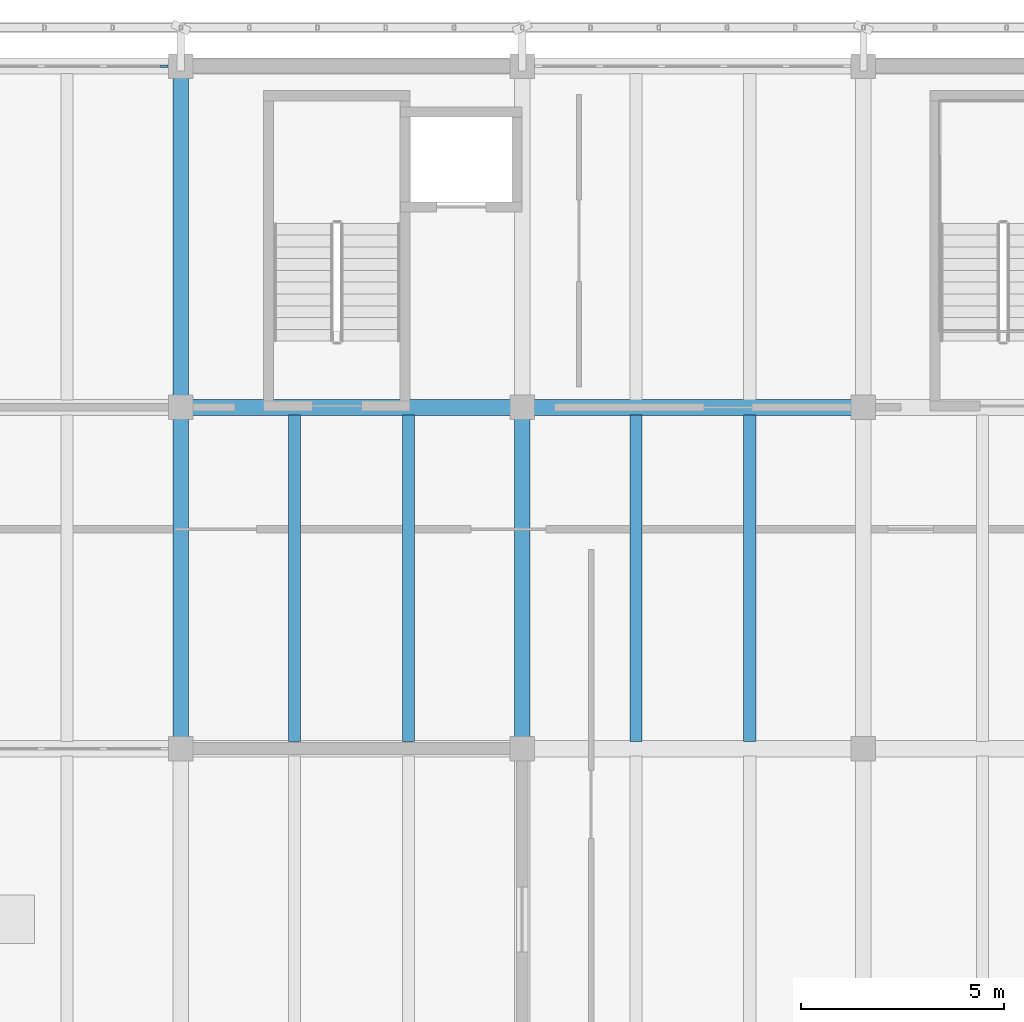
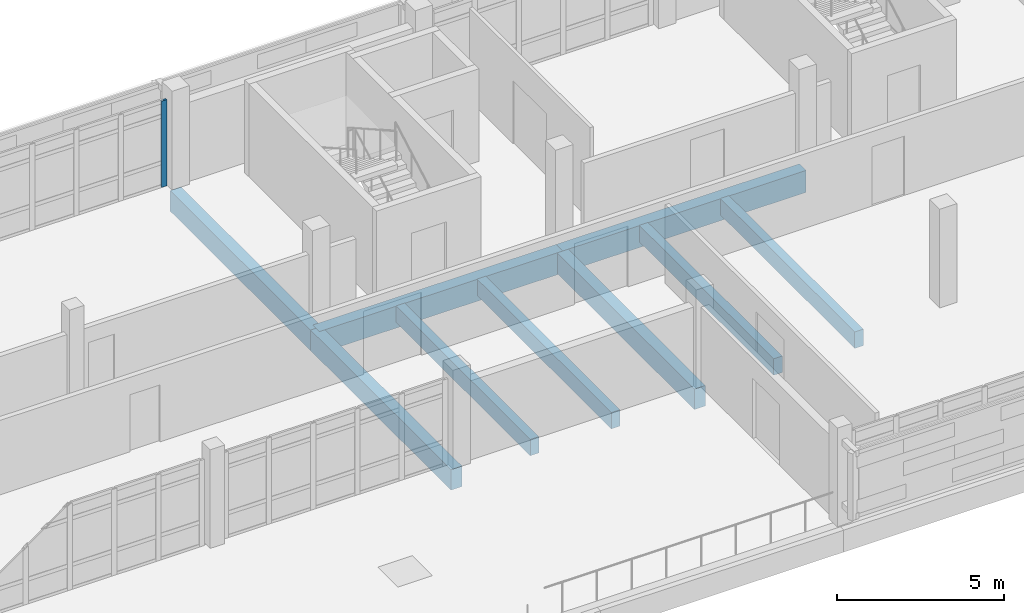
# One storey, part 19 of 50: 9 beams, 1 member, 1 element without a shape of its own.
"""IFC4 building model written with IfcOpenShell, lengths in metres."""

from ifc_helpers import new_model, si_unit, direction, frame, origin, origin_2d, place, context, subcontext, project, spatial, rectangle, extrude, material, material_profile, profile_set, type_object, element, aggregate, save


model = new_model("IFC4")

# Units and contexts
model_context = context("Model", 3, precision=1e-05, world=origin(), true_north=direction((0.0, 1.0)))
body_context = subcontext(model_context, "Body", "Model", "MODEL_VIEW")
ifc_project = project(units=[si_unit("LENGTHUNIT", "METRE"), si_unit("AREAUNIT", "SQUARE_METRE"), si_unit("VOLUMEUNIT", "CUBIC_METRE"), si_unit("PLANEANGLEUNIT", "RADIAN"), si_unit("MASSUNIT", "GRAM", prefix="KILO")], contexts=[model_context])

# Site, building, storey
site_placement = place(None, origin())
site = spatial("IfcSite", under=ifc_project, at=site_placement, CompositionType="ELEMENT")
building_placement = place(site_placement, origin())
building = spatial("IfcBuilding", under=site, at=building_placement, Name="Cinderway Yard Community Centre", CompositionType="ELEMENT")
storey_placement = place(building_placement, frame((0.0, 0.0, 12.89990234375)))
storey = spatial("IfcBuildingStorey", under=building, at=storey_placement, Name="L03", CompositionType="ELEMENT", Elevation=12.89990234375)

# Curtain wall, member
ifc_material_1 = material(Name="Aluminium 6063-T6", Category="aluminium")
curtain_wall_type = type_object("IfcCurtainWallType", Name="ENV-CW-TYPE-32", PredefinedType="USERDEFINED", material=ifc_material_1)
curtain_wall_placement = place(storey_placement, origin())
curtain_wall = element("IfcCurtainWall", 1, at=curtain_wall_placement, inside=storey, type_object=curtain_wall_type, Name="V4 Street Curtain Wall ENV-CW-L03-HS-0161", ObjectType="GLAZED CURTAIN WALL", PredefinedType="USERDEFINED")
ifc_material_profile_1 = material_profile(ifc_material_1, rectangle(XDim=0.06494140625, YDim=0.179931640625, at=origin_2d()), Name="Aluminium 6063-T6")
ifc_profile_set_1 = profile_set([ifc_material_profile_1], Name="Aluminium 6063-T6")
member_type = type_object("IfcMemberType", Name="ENV-CW-MULL-180", PredefinedType="MULLION", material=ifc_profile_set_1)
member_placement = place(storey_placement, frame((57.989990234375, 115.199951171875, 0.0), z_axis=(0.0, 0.0, 1.0), x_axis=(0.0, 1.0, 0.0)))
member = element("IfcMember", 2, at=member_placement, type_object=member_type, Name="CW-32 mullion 6", PredefinedType="MULLION", context=body_context, shape_type="SweptSolid", body=[
    extrude(rectangle(XDim=0.06494140625, YDim=0.179931640625, at=origin_2d()), origin(), (0.0, 0.0, 1.0), 3.150146484375),
])
aggregate(curtain_wall, [member])

# Beams
ifc_material_2 = material(Name="Concrete C35/45", Category="concrete")
ifc_material_profile_2 = material_profile(ifc_material_2, rectangle(XDim=0.300048828125, YDim=0.60009765625, at=origin_2d()), Name="Concrete C35/45")
ifc_profile_set_2 = profile_set([ifc_material_profile_2], Name="Concrete C35/45")
beam_type_1 = type_object("IfcBeamType", Name="STR-BM-RC300X600", PredefinedType="JOIST", material=ifc_profile_set_2)
for number, where, z_axis, x_axis, name in (
    (3, (61.199951171875, 98.58203125, -0.539794921875), (0.0, 1.0, 0.0), (-1.0, 0.0, 0.0), "Secondary joist STR-BM-L03-BJ02-0764"),
    (4, (64.0, 98.58203125, -0.539794921875), (0.0, 1.0, 0.0), (-1.0, 0.0, 0.0), "Secondary joist STR-BM-L03-BJ02-0765"),
    (5, (69.60009765625, 98.58203125, -0.539794921875), (0.0, 1.0, 0.0), (-1.0, 0.0, 0.0), "Secondary joist STR-BM-L03-BJ02-0768"),
    (6, (72.39990234375, 98.58203125, -0.539794921875), (0.0, 1.0, 0.0), (-1.0, 0.0, 0.0), "Secondary joist STR-BM-L03-BJ02-0769"),
):
    element("IfcBeam", number, at=place(storey_placement, frame(where, z_axis=z_axis, x_axis=x_axis)), inside=storey, type_object=beam_type_1, Name=name, PredefinedType="JOIST", context=body_context, shape_type="SweptSolid", body=[
        extrude(rectangle(XDim=0.300048828125, YDim=0.60009765625, at=origin_2d()), origin(), (0.0, 0.0, 1.0), 8.035888671875),
    ])
ifc_material_profile_3 = material_profile(ifc_material_2, rectangle(XDim=0.3798828125, YDim=0.75, at=origin_2d()), Name="Concrete C35/45")
ifc_profile_set_3 = profile_set([ifc_material_profile_3], Name="Concrete C35/45")
beam_type_2 = type_object("IfcBeamType", Name="STR-BM-RC380X750", PredefinedType="BEAM", material=ifc_profile_set_3)
beam_1_placement = place(storey_placement, frame((58.39990234375, 98.39990234375, -0.614990234375), z_axis=(0.0, 1.0, 0.0), x_axis=(-1.0, 0.0, 0.0)))
element("IfcBeam", 7, at=beam_1_placement, inside=storey, type_object=beam_type_2, Name="Transverse girder STR-BM-L03-BG06-0721", PredefinedType="BEAM", context=body_context, shape_type="SweptSolid", body=[
    extrude(rectangle(XDim=0.3798828125, YDim=0.75, at=origin_2d()), origin(), (0.0, 0.0, 1.0), 8.400146484375),
])
beam_2_placement = place(storey_placement, frame((58.39990234375, 106.800048828125, -0.614990234375), z_axis=(0.0, 1.0, 0.0), x_axis=(-1.0, 0.0, 0.0)))
element("IfcBeam", 8, at=beam_2_placement, inside=storey, type_object=beam_type_2, Name="Transverse girder STR-BM-L03-BG06-0722", PredefinedType="BEAM", context=body_context, shape_type="SweptSolid", body=[
    extrude(rectangle(XDim=0.3798828125, YDim=0.75, at=origin_2d()), origin(), (0.0, 0.0, 1.0), 8.39990234375),
])
beam_3_placement = place(storey_placement, frame((66.800048828125, 98.39990234375, -0.614990234375), z_axis=(0.0, 1.0, 0.0), x_axis=(-1.0, 0.0, 0.0)))
element("IfcBeam", 9, at=beam_3_placement, inside=storey, type_object=beam_type_2, Name="Transverse girder STR-BM-L03-BG06-0724", PredefinedType="BEAM", context=body_context, shape_type="SweptSolid", body=[
    extrude(rectangle(XDim=0.3798828125, YDim=0.75, at=origin_2d()), origin(), (0.0, 0.0, 1.0), 8.400146484375),
])
ifc_material_3 = material(Name="Concrete C40/50", Category="concrete")
ifc_material_profile_4 = material_profile(ifc_material_3, rectangle(XDim=0.39990234375, YDim=0.800048828125, at=origin_2d()), Name="Concrete C40/50")
ifc_profile_set_4 = profile_set([ifc_material_profile_4], Name="Concrete C40/50")
beam_type_3 = type_object("IfcBeamType", Name="STR-BM-RC400X800", PredefinedType="BEAM", material=ifc_profile_set_4)
beam_4_placement = place(storey_placement, frame((58.39990234375, 106.800048828125, -0.639892578125), z_axis=(1.0, 0.0, 0.0), x_axis=(0.0, 1.0, 0.0)))
element("IfcBeam", 10, at=beam_4_placement, inside=storey, type_object=beam_type_3, Name="Primary girder STR-BM-L03-BG05-0694", PredefinedType="BEAM", context=body_context, shape_type="SweptSolid", body=[
    extrude(rectangle(XDim=0.39990234375, YDim=0.800048828125, at=origin_2d()), origin(), (0.0, 0.0, 1.0), 8.400146484375),
])
beam_5_placement = place(storey_placement, frame((66.800048828125, 106.800048828125, -0.639892578125), z_axis=(1.0, 0.0, 0.0), x_axis=(0.0, 1.0, 0.0)))
element("IfcBeam", 11, at=beam_5_placement, inside=storey, type_object=beam_type_3, Name="Primary girder STR-BM-L03-BG05-0695", PredefinedType="BEAM", context=body_context, shape_type="SweptSolid", body=[
    extrude(rectangle(XDim=0.39990234375, YDim=0.800048828125, at=origin_2d()), origin(), (0.0, 0.0, 1.0), 8.39990234375),
])

save(model, "model.ifc")
